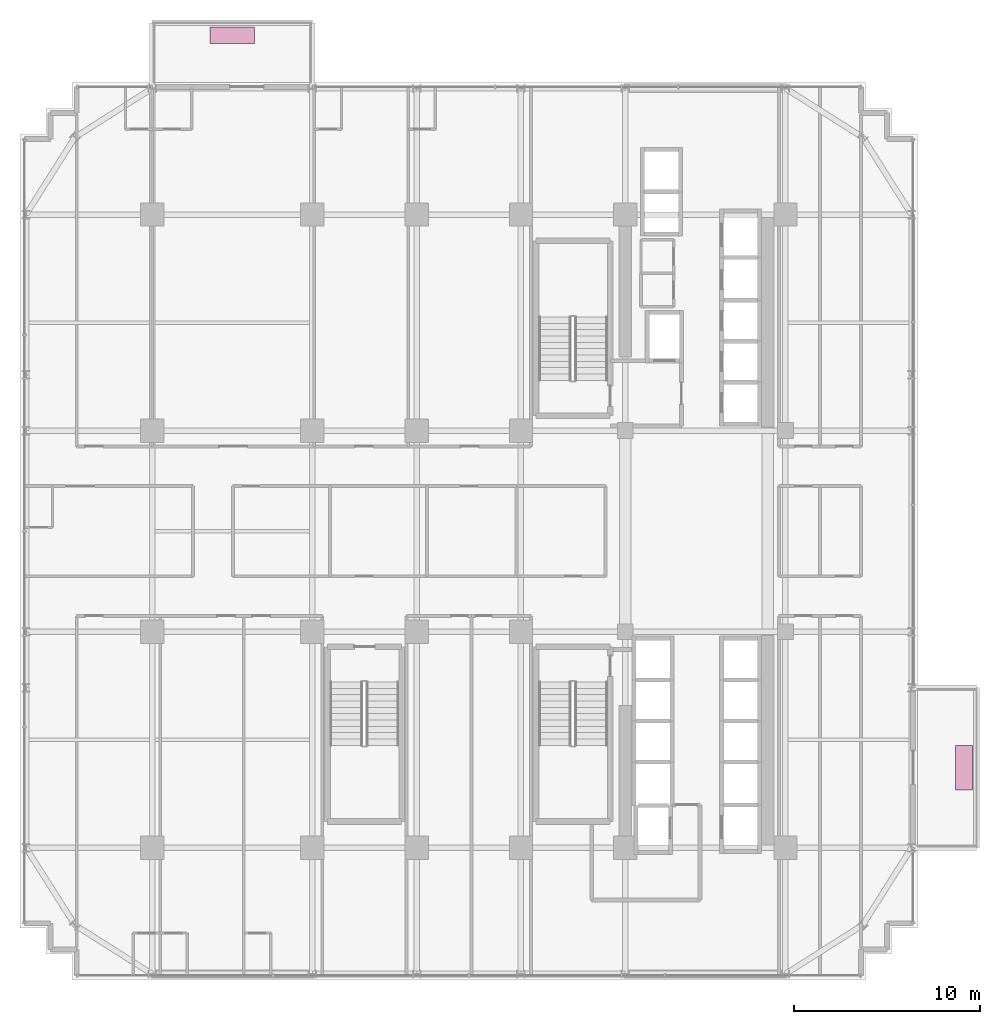
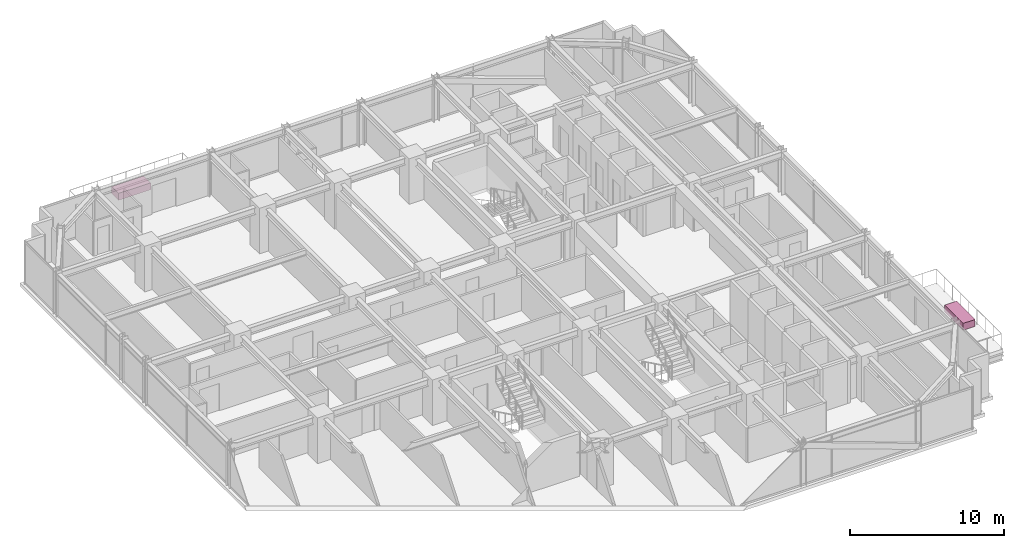
# One storey, part 34 of 34: 2 furnishings.
"""IFC4 building model written with IfcOpenShell, lengths in metres."""

from ifc_helpers import new_model, si_unit, direction, frame, origin, origin_2d, place, context, subcontext, project, spatial, rectangle, extrude, source, transform, mapped, material, type_object, element, save


model = new_model("IFC4")

# Units and contexts
model_context = context("Model", 3, precision=1e-05, world=origin(), true_north=direction((0.0, 1.0)))
body_context = subcontext(model_context, "Body", "Model", "MODEL_VIEW")
ifc_project = project(units=[si_unit("LENGTHUNIT", "METRE"), si_unit("AREAUNIT", "SQUARE_METRE"), si_unit("VOLUMEUNIT", "CUBIC_METRE"), si_unit("PLANEANGLEUNIT", "RADIAN"), si_unit("MASSUNIT", "GRAM", prefix="KILO")], contexts=[model_context])

# Site, building, storey
site_placement = place(None, origin())
site = spatial("IfcSite", under=ifc_project, at=site_placement, CompositionType="ELEMENT")
building_placement = place(site_placement, origin())
building = spatial("IfcBuilding", under=site, at=building_placement, Name="Nahalor Promenade Grand Hotel", CompositionType="ELEMENT")
storey_placement = place(building_placement, frame((0.0, 0.0, 128.449951171875)))
storey = spatial("IfcBuildingStorey", under=building, at=storey_placement, Name="L32", CompositionType="ELEMENT", Elevation=128.449951171875)

# Furnishings
ifc_material = material(Name="Vegetated Volcanic-Lapilli Tree Planter", Category="earth")
furnishing_element_type = type_object("IfcFurnishingElementType", Name="Planter-VerticalForest-Box", material=ifc_material)
shared_shape = source(origin(), body_context, "Body", "SweptSolid", [
    extrude(rectangle(XDim=2.39990234375, YDim=0.89990234375, at=origin_2d()), origin(), (0.0, 0.0, 1.0), 0.550048828125),
])
for number, where, z_axis, x_axis, name in (
    (1, (-12.699951171875, 26.6298828125, 0.0), (0.0, 0.0, 1.0), (1.0, 0.0, 0.0), "L32 Balcony Structural Tree Planter 1"),
    (2, (26.590087890625, -12.699951171875, 0.0), (0.0, 0.0, 1.0), (0.0, 1.0, 0.0), "L32 Balcony Structural Tree Planter 2"),
):
    element("IfcFurnishingElement", number, at=place(storey_placement, frame(where, z_axis=z_axis, x_axis=x_axis)), inside=storey, type_object=furnishing_element_type, Name=name, ObjectType="PLANTER", context=body_context, shape_type="MappedRepresentation", body=[
        mapped(shared_shape, transform((0.0, 0.0, 0.0), scale=1.0)),
    ])

save(model, "model.ifc")
